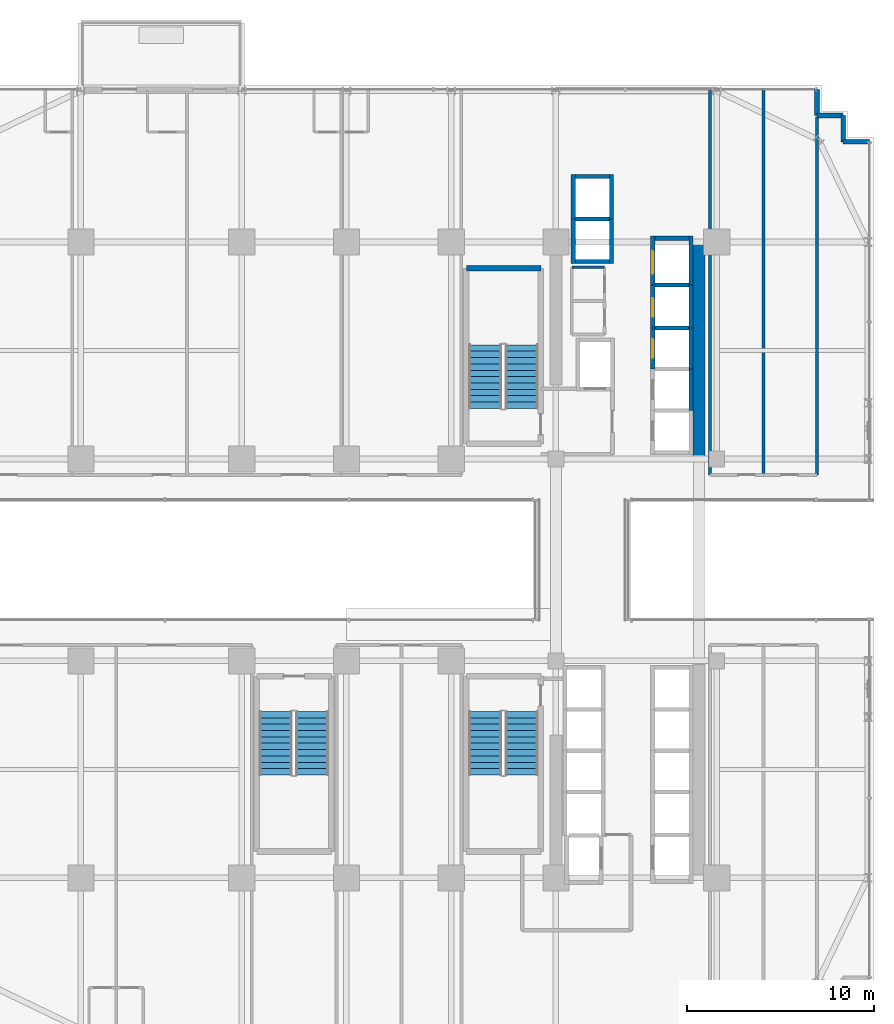
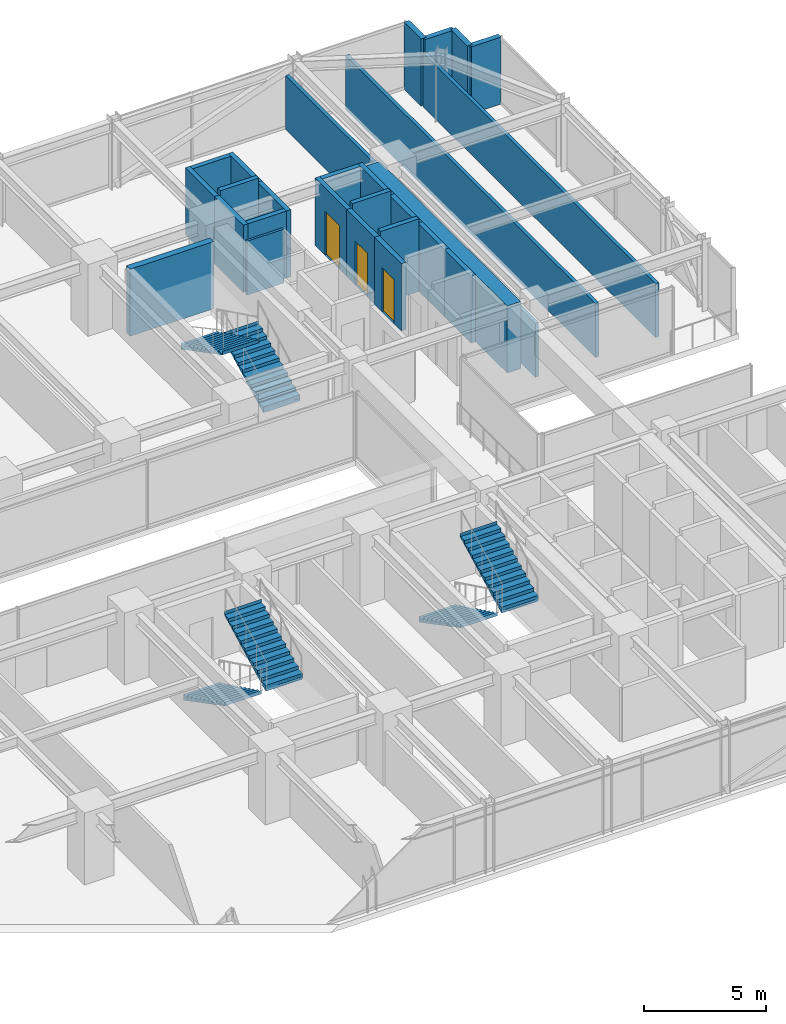
# One storey, part 38 of 42: 27 walls, 6 stair flights, 3 doors, 3 openings, 3 elements without a shape of their own.
"""IFC4 building model written with IfcOpenShell, lengths in metres."""

from ifc_helpers import new_model, si_unit, direction, frame, frame_2d, origin, place, context, subcontext, project, spatial, polyline, rectangle, outline, extrude, source, transform, mapped, material, layer, layer_set, type_object, element, fill, aggregate, save


model = new_model("IFC4")

# Units and contexts
model_context = context("Model", 3, precision=1e-05, world=origin(), true_north=direction((0.0, 1.0)))
body_context = subcontext(model_context, "Body", "Model", "MODEL_VIEW")
ifc_project = project(units=[si_unit("LENGTHUNIT", "METRE"), si_unit("AREAUNIT", "SQUARE_METRE"), si_unit("VOLUMEUNIT", "CUBIC_METRE"), si_unit("PLANEANGLEUNIT", "RADIAN"), si_unit("MASSUNIT", "GRAM", prefix="KILO")], contexts=[model_context])

# Site, building, storey
site_placement = place(None, origin())
site = spatial("IfcSite", under=ifc_project, at=site_placement, CompositionType="ELEMENT")
building_placement = place(site_placement, origin())
building = spatial("IfcBuilding", under=site, at=building_placement, Name="Nahalor Promenade Grand Hotel", CompositionType="ELEMENT")
storey_placement = place(building_placement, frame((0.0, 0.0, 61.60009765625)))
storey = spatial("IfcBuildingStorey", under=building, at=storey_placement, Name="L14", CompositionType="ELEMENT", Elevation=61.60009765625)

# Walls
ifc_material_1 = material(Name="Concrete B-60 (C50/60)", Category="concrete")
ifc_layer_1 = layer(ifc_material_1, 0.64990234375)
ifc_layer_set_1 = layer_set([ifc_layer_1], Name="Concrete B-60 (C50/60)")
wall_type_1 = type_object("IfcWallType", Name="Wall-CoreShear-650", PredefinedType="SHEAR", material=ifc_layer_set_1)
shared_shape_1 = source(origin(), body_context, "Body", "SweptSolid", [
    extrude(rectangle(XDim=11.60009765625, YDim=0.64990234375, at=frame_2d((5.800048828125, 0.0))), origin(), (0.0, 0.0, 1.0), 3.369873046875),
])
wall_1_placement = place(storey_placement, frame((16.050048828125, 5.39990234375, 0.0), z_axis=(0.0, 0.0, 1.0), x_axis=(0.0, 1.0, 0.0)))
element("IfcWall", 1, at=wall_1_placement, inside=storey, type_object=wall_type_1, Name="CWALL-L14-NE", PredefinedType="SHEAR", context=body_context, shape_type="MappedRepresentation", body=[
    mapped(shared_shape_1, transform((0.0, 0.0, 0.0), scale=1.0)),
])
ifc_material_2 = material(Name="Concrete B-50 (C40/50)", Category="concrete")
ifc_layer_2 = layer(ifc_material_2, 0.300048828125)
ifc_layer_set_2 = layer_set([ifc_layer_2], Name="Concrete B-50 (C40/50)")
wall_type_2 = type_object("IfcWallType", Name="Wall-ShaftShear-300", PredefinedType="SHEAR", material=ifc_layer_set_2)
shared_shape_2 = source(origin(), body_context, "Body", "SweptSolid", [
    extrude(rectangle(XDim=3.97998046875, YDim=0.300048828125, at=frame_2d((1.989990234375, 0.0))), origin(), (0.0, 0.0, 1.0), 3.369873046875),
])
wall_2_placement = place(storey_placement, frame((3.610107421875, 15.590087890625, 0.0), z_axis=(0.0, 0.0, 1.0), x_axis=(1.0, 0.0, 0.0)))
element("IfcWall", 2, at=wall_2_placement, inside=storey, type_object=wall_type_2, Name="L14 Exit Stair ST1 Shaft Wall N", PredefinedType="SHEAR", context=body_context, shape_type="MappedRepresentation", body=[
    mapped(shared_shape_2, transform((0.0, 0.0, 0.0), scale=1.0)),
])
ifc_layer_3 = layer(ifc_material_2, 0.219970703125)
ifc_layer_set_3 = layer_set([ifc_layer_3], Name="Concrete B-50 (C40/50)")
wall_type_3 = type_object("IfcWallType", Name="Wall-LiftShaft-220", PredefinedType="SHEAR", material=ifc_layer_set_3)
shared_shape_3 = source(origin(), body_context, "Body", "SweptSolid", [
    extrude(rectangle(XDim=1.820068359375, YDim=0.219970703125, at=frame_2d((0.91015625, 0.0))), origin(), (0.0, 0.0, 1.0), 3.369873046875),
])
for number, where, z_axis, x_axis, name in (
    (3, (9.43994140625, 15.949951171875, 0.0), (0.0, 0.0, 1.0), (1.0, 0.0, 0.0), "L14 Lift OB1 Hoistway Wall S"),
    (4, (9.43994140625, 20.5, 0.0), (0.0, 0.0, 1.0), (1.0, 0.0, 0.0), "L14 Lift OB2 Hoistway Wall N"),
    (5, (13.68994140625, 17.199951171875, 0.0), (0.0, 0.0, 1.0), (1.0, 0.0, 0.0), "L14 Lift SV1 Hoistway Wall N"),
):
    element("IfcWall", number, at=place(storey_placement, frame(where, z_axis=z_axis, x_axis=x_axis)), inside=storey, type_object=wall_type_3, Name=name, PredefinedType="SHEAR", context=body_context, shape_type="MappedRepresentation", body=[
        mapped(shared_shape_3, transform((0.0, 0.0, 0.0), scale=1.0)),
    ])
shared_shape_4 = source(origin(), body_context, "Body", "SweptSolid", [
    extrude(rectangle(XDim=1.820068359375, YDim=0.219970703125, at=frame_2d((0.91015625, 0.0))), origin(), (0.0, 0.0, 1.0), 3.64990234375),
])
for number, where, z_axis, x_axis, name in (
    (6, (13.68994140625, 12.39990234375, 0.0), (0.0, 0.0, 1.0), (1.0, 0.0, 0.0), "L14 Lift PL3 Hoistway Wall N"),
    (7, (13.68994140625, 14.699951171875, 0.0), (0.0, 0.0, 1.0), (1.0, 0.0, 0.0), "L14 Lift PL4 Hoistway Wall N"),
    (8, (9.43994140625, 18.22509765625, 0.0), (0.0, 0.0, 1.0), (1.0, 0.0, 0.0), "L14 Lift OB1 Hoistway Wall N"),
):
    element("IfcWall", number, at=place(storey_placement, frame(where, z_axis=z_axis, x_axis=x_axis)), inside=storey, type_object=wall_type_3, Name=name, PredefinedType="SHEAR", context=body_context, shape_type="MappedRepresentation", body=[
        mapped(shared_shape_4, transform((0.0, 0.0, 0.0), scale=1.0)),
    ])
shared_shape_5 = source(origin(), body_context, "Body", "SweptSolid", [
    extrude(rectangle(XDim=2.199951171875, YDim=0.219970703125, at=frame_2d((1.10009765625, 0.0))), origin(), (0.0, 0.0, 1.0), 3.369873046875),
])
wall_3_placement = place(storey_placement, frame((15.6201171875, 8.0, 0.0), z_axis=(0.0, 0.0, 1.0), x_axis=(0.0, 1.0, 0.0)))
element("IfcWall", 9, at=wall_3_placement, inside=storey, type_object=wall_type_3, Name="L14 Lift PL2 Hoistway Wall E", PredefinedType="SHEAR", context=body_context, shape_type="MappedRepresentation", body=[
    mapped(shared_shape_5, transform((0.0, 0.0, 0.0), scale=1.0)),
])

# Wall, opening, door
wall_4_placement = place(storey_placement, frame((13.580078125, 10.199951171875, 0.0), z_axis=(0.0, 0.0, 1.0), x_axis=(0.0, 1.0, 0.0)))
wall_4 = element("IfcWall", 10, at=wall_4_placement, inside=storey, type_object=wall_type_3, Name="L14 Lift PL3 Hoistway Wall W", PredefinedType="SHEAR", context=body_context, shape_type="MappedRepresentation", body=[
    mapped(shared_shape_5, transform((0.0, 0.0, 0.0), scale=1.0)),
])
opening_1_placement = place(wall_4_placement, frame((0.60009765625, 0.0, 0.0)))
opening_1 = element("IfcOpeningElement", 11, at=opening_1_placement, cuts=wall_4, Name="Opening LD-01", PredefinedType="OPENING", context=body_context, shape_type="SweptSolid", body=[
    extrude(rectangle(XDim=1.0, YDim=2.199951171875, at=frame_2d((0.5, 1.10009765625))), frame((0.0, 0.119873046875, 0.0), z_axis=(0.0, -1.0, 0.0), x_axis=(1.0, 0.0, 0.0)), (0.0, 0.0, 1.0), 0.239990234375),
])
ifc_material_3 = material(Name="Steel S355JR", Category="steel")
door_type_1 = type_object("IfcDoorType", Name="Door-LiftLanding-1000", OperationType="DOUBLE_DOOR_SLIDING", PredefinedType="DOOR", material=ifc_material_3)
shared_shape_6 = source(origin(), body_context, "Body", "SweptSolid", [
    extrude(rectangle(XDim=1.0, YDim=2.199951171875, at=frame_2d((0.5, 1.10009765625))), frame((0.0, 0.02490234375, 0.0), z_axis=(0.0, -1.0, 0.0), x_axis=(1.0, 0.0, 0.0)), (0.0, 0.0, 1.0), 0.050048828125),
])
door_1_placement = place(opening_1_placement, origin())
door_1 = element("IfcDoor", 12, at=door_1_placement, inside=storey, type_object=door_type_1, Name="DR-LIFT-PL3-L14", OperationType="DOUBLE_DOOR_SLIDING", OverallHeight=2.199951171875, OverallWidth=1.0, PredefinedType="DOOR", context=body_context, shape_type="MappedRepresentation", body=[
    mapped(shared_shape_6, transform((0.0, 0.0, 0.0), scale=1.0)),
])
fill(opening_1, door_1)

# Wall
wall_5_placement = place(storey_placement, frame((15.6201171875, 10.199951171875, 0.0), z_axis=(0.0, 0.0, 1.0), x_axis=(0.0, 1.0, 0.0)))
element("IfcWall", 13, at=wall_5_placement, inside=storey, type_object=wall_type_3, Name="L14 Lift PL3 Hoistway Wall E", PredefinedType="SHEAR", context=body_context, shape_type="MappedRepresentation", body=[
    mapped(shared_shape_5, transform((0.0, 0.0, 0.0), scale=1.0)),
])

# Wall, opening, door
shared_shape_7 = source(origin(), body_context, "Body", "SweptSolid", [
    extrude(rectangle(XDim=2.300048828125, YDim=0.219970703125, at=frame_2d((1.14990234375, 0.0))), origin(), (0.0, 0.0, 1.0), 3.369873046875),
])
wall_6_placement = place(storey_placement, frame((13.580078125, 12.39990234375, 0.0), z_axis=(0.0, 0.0, 1.0), x_axis=(0.0, 1.0, 0.0)))
wall_6 = element("IfcWall", 14, at=wall_6_placement, inside=storey, type_object=wall_type_3, Name="L14 Lift PL4 Hoistway Wall W", PredefinedType="SHEAR", context=body_context, shape_type="MappedRepresentation", body=[
    mapped(shared_shape_7, transform((0.0, 0.0, 0.0), scale=1.0)),
])
opening_2_placement = place(wall_6_placement, frame((0.60009765625, 0.0, 0.0)))
opening_2 = element("IfcOpeningElement", 15, at=opening_2_placement, cuts=wall_6, Name="Opening LD-01", PredefinedType="OPENING", context=body_context, shape_type="SweptSolid", body=[
    extrude(rectangle(XDim=1.0, YDim=2.199951171875, at=frame_2d((0.5, 1.10009765625))), frame((0.0, 0.119873046875, 0.0), z_axis=(0.0, -1.0, 0.0), x_axis=(1.0, 0.0, 0.0)), (0.0, 0.0, 1.0), 0.239990234375),
])
door_2_placement = place(opening_2_placement, origin())
door_2 = element("IfcDoor", 16, at=door_2_placement, inside=storey, type_object=door_type_1, Name="DR-LIFT-PL4-L14", OperationType="DOUBLE_DOOR_SLIDING", OverallHeight=2.199951171875, OverallWidth=1.0, PredefinedType="DOOR", context=body_context, shape_type="MappedRepresentation", body=[
    mapped(shared_shape_6, transform((0.0, 0.0, 0.0), scale=1.0)),
])
fill(opening_2, door_2)

# Walls
wall_7_placement = place(storey_placement, frame((15.6201171875, 12.39990234375, 0.0), z_axis=(0.0, 0.0, 1.0), x_axis=(0.0, 1.0, 0.0)))
element("IfcWall", 17, at=wall_7_placement, inside=storey, type_object=wall_type_3, Name="L14 Lift PL4 Hoistway Wall E", PredefinedType="SHEAR", context=body_context, shape_type="MappedRepresentation", body=[
    mapped(shared_shape_7, transform((0.0, 0.0, 0.0), scale=1.0)),
])
shared_shape_8 = source(origin(), body_context, "Body", "SweptSolid", [
    extrude(rectangle(XDim=2.385009765625, YDim=0.219970703125, at=frame_2d((1.1923828125, 0.0))), origin(), (0.0, 0.0, 1.0), 3.369873046875),
])
for number, where, z_axis, x_axis, name in (
    (18, (9.330078125, 15.840087890625, 0.0), (0.0, 0.0, 1.0), (0.0, 1.0, 0.0), "L14 Lift OB1 Hoistway Wall W"),
    (19, (11.3701171875, 15.840087890625, 0.0), (0.0, 0.0, 1.0), (0.0, 1.0, 0.0), "L14 Lift OB1 Hoistway Wall E"),
    (20, (9.330078125, 18.22509765625, 0.0), (0.0, 0.0, 1.0), (0.0, 1.0, 0.0), "L14 Lift OB2 Hoistway Wall W"),
    (21, (11.3701171875, 18.22509765625, 0.0), (0.0, 0.0, 1.0), (0.0, 1.0, 0.0), "L14 Lift OB2 Hoistway Wall E"),
):
    element("IfcWall", number, at=place(storey_placement, frame(where, z_axis=z_axis, x_axis=x_axis)), inside=storey, type_object=wall_type_3, Name=name, PredefinedType="SHEAR", context=body_context, shape_type="MappedRepresentation", body=[
        mapped(shared_shape_8, transform((0.0, 0.0, 0.0), scale=1.0)),
    ])

# Wall, opening, door
shared_shape_9 = source(origin(), body_context, "Body", "SweptSolid", [
    extrude(rectangle(XDim=2.610107421875, YDim=0.219970703125, at=frame_2d((1.30517578125, 0.0))), origin(), (0.0, 0.0, 1.0), 3.369873046875),
])
wall_8_placement = place(storey_placement, frame((13.580078125, 14.699951171875, 0.0), z_axis=(0.0, 0.0, 1.0), x_axis=(0.0, 1.0, 0.0)))
wall_8 = element("IfcWall", 22, at=wall_8_placement, inside=storey, type_object=wall_type_3, Name="L14 Lift SV1 Hoistway Wall W", PredefinedType="SHEAR", context=body_context, shape_type="MappedRepresentation", body=[
    mapped(shared_shape_9, transform((0.0, 0.0, 0.0), scale=1.0)),
])
opening_3_placement = place(wall_8_placement, frame((0.60009765625, 0.0, 0.0)))
opening_3 = element("IfcOpeningElement", 23, at=opening_3_placement, cuts=wall_8, Name="Opening LD-03", PredefinedType="OPENING", context=body_context, shape_type="SweptSolid", body=[
    extrude(rectangle(XDim=1.199951171875, YDim=2.199951171875, at=frame_2d((0.60009765625, 1.10009765625))), frame((0.0, 0.119873046875, 0.0), z_axis=(0.0, -1.0, 0.0), x_axis=(1.0, 0.0, 0.0)), (0.0, 0.0, 1.0), 0.239990234375),
])
door_type_2 = type_object("IfcDoorType", Name="Door-LiftService-1200", OperationType="DOUBLE_DOOR_SLIDING", PredefinedType="DOOR", material=ifc_material_3)
shared_shape_10 = source(origin(), body_context, "Body", "SweptSolid", [
    extrude(rectangle(XDim=1.199951171875, YDim=2.199951171875, at=frame_2d((0.60009765625, 1.10009765625))), frame((0.0, 0.02490234375, 0.0), z_axis=(0.0, -1.0, 0.0), x_axis=(1.0, 0.0, 0.0)), (0.0, 0.0, 1.0), 0.050048828125),
])
door_3_placement = place(opening_3_placement, origin())
door_3 = element("IfcDoor", 24, at=door_3_placement, inside=storey, type_object=door_type_2, Name="DR-LIFT-SV1-L14", OperationType="DOUBLE_DOOR_SLIDING", OverallHeight=2.199951171875, OverallWidth=1.199951171875, PredefinedType="DOOR", context=body_context, shape_type="MappedRepresentation", body=[
    mapped(shared_shape_10, transform((0.0, 0.0, 0.0), scale=1.0)),
])
fill(opening_3, door_3)

# Walls
wall_9_placement = place(storey_placement, frame((15.6201171875, 14.699951171875, 0.0), z_axis=(0.0, 0.0, 1.0), x_axis=(0.0, 1.0, 0.0)))
element("IfcWall", 25, at=wall_9_placement, inside=storey, type_object=wall_type_3, Name="L14 Lift SV1 Hoistway Wall E", PredefinedType="SHEAR", context=body_context, shape_type="MappedRepresentation", body=[
    mapped(shared_shape_9, transform((0.0, 0.0, 0.0), scale=1.0)),
])
ifc_material_4 = material(Name="Concrete B-40 (C32/40)", Category="concrete")
ifc_layer_4 = layer(ifc_material_4, 0.25)
ifc_layer_set_4 = layer_set([ifc_layer_4], Name="Concrete B-40 (C32/40)")
wall_type_4 = type_object("IfcWallType", Name="Wall-BronzePier-250", PredefinedType="STANDARD", material=ifc_layer_set_4)
shared_shape_11 = source(origin(), body_context, "Body", "SweptSolid", [
    extrude(rectangle(XDim=1.39990234375, YDim=0.25, at=frame_2d((0.699951171875, 0.0))), origin(), (0.0, 0.0, 1.0), 3.369873046875),
])
for number, where, z_axis, x_axis, name in (
    (26, (23.760009765625, 22.360107421875, 0.0), (0.0, 0.0, 1.0), (1.0, 0.0, 0.0), "W-L14-SR-05"),
    (27, (23.760009765625, 22.360107421875, 0.0), (0.0, 0.0, 1.0), (0.0, 1.0, 0.0), "W-L14-SR-06"),
    (28, (22.360107421875, 23.760009765625, 0.0), (0.0, 0.0, 1.0), (1.0, 0.0, 0.0), "W-L14-SR-07"),
    (29, (22.360107421875, 23.760009765625, 0.0), (0.0, 0.0, 1.0), (0.0, 1.0, 0.0), "W-L14-SR-08"),
):
    element("IfcWall", number, at=place(storey_placement, frame(where, z_axis=z_axis, x_axis=x_axis)), inside=storey, type_object=wall_type_4, Name=name, PredefinedType="STANDARD", context=body_context, shape_type="MappedRepresentation", body=[
        mapped(shared_shape_11, transform((0.0, 0.0, 0.0), scale=1.0)),
    ])
ifc_material_5 = material(Name="Acoustic Mineral Gypsum", Category="gypsum")
ifc_layer_5 = layer(ifc_material_5, 0.159912109375)
ifc_layer_set_5 = layer_set([ifc_layer_5], Name="Acoustic Mineral Gypsum")
wall_type_5 = type_object("IfcWallType", Name="Wall-PartCorridor-160", PredefinedType="PARTITIONING", material=ifc_layer_set_5)
shared_shape_12 = source(origin(), body_context, "Body", "SweptSolid", [
    extrude(rectangle(XDim=20.550048828125, YDim=0.159912109375, at=frame_2d((10.27490234375, 0.0))), origin(), (0.0, 0.0, 1.0), 2.7099609375),
])
for number, where, z_axis, x_axis, name in (
    (30, (16.64990234375, 4.550048828125, 0.0), (0.0, 0.0, 1.0), (0.0, 1.0, 0.0), "W-L14-ENE1-W"),
    (31, (19.5048828125, 4.550048828125, 0.0), (0.0, 0.0, 1.0), (0.0, 1.0, 0.0), "W-L14-ENE1-E"),
):
    element("IfcWall", number, at=place(storey_placement, frame(where, z_axis=z_axis, x_axis=x_axis)), inside=storey, type_object=wall_type_5, Name=name, PredefinedType="PARTITIONING", context=body_context, shape_type="MappedRepresentation", body=[
        mapped(shared_shape_12, transform((0.0, 0.0, 0.0), scale=1.0)),
    ])
shared_shape_13 = source(origin(), body_context, "Body", "SweptSolid", [
    extrude(rectangle(XDim=19.1298828125, YDim=0.159912109375, at=frame_2d((9.56494140625, 0.0))), origin(), (0.0, 0.0, 1.0), 2.7099609375),
])
wall_10_placement = place(storey_placement, frame((22.360107421875, 4.550048828125, 0.0), z_axis=(0.0, 0.0, 1.0), x_axis=(0.0, 1.0, 0.0)))
element("IfcWall", 32, at=wall_10_placement, inside=storey, type_object=wall_type_5, Name="W-L14-ENE2-E", PredefinedType="PARTITIONING", context=body_context, shape_type="MappedRepresentation", body=[
    mapped(shared_shape_13, transform((0.0, 0.0, 0.0), scale=1.0)),
])
ifc_layer_6 = layer(ifc_material_5, 0.1201171875)
ifc_layer_set_6 = layer_set([ifc_layer_6], Name="Acoustic Mineral Gypsum")
wall_type_6 = type_object("IfcWallType", Name="Wall-PartBath-120", PredefinedType="PARTITIONING", material=ifc_layer_set_6)
shared_shape_14 = source(origin(), body_context, "Body", "SweptSolid", [
    extrude(rectangle(XDim=1.75, YDim=0.1201171875, at=frame_2d((0.875, 0.0))), origin(), (0.0, 0.0, 1.0), 2.7099609375),
])
wall_11_placement = place(storey_placement, frame((9.25, 15.64990234375, 0.0), z_axis=(0.0, 0.0, 1.0), x_axis=(1.0, 0.0, 0.0)))
element("IfcWall", 33, at=wall_11_placement, inside=storey, type_object=wall_type_6, Name="W-L14-CK2B-N", PredefinedType="PARTITIONING", context=body_context, shape_type="MappedRepresentation", body=[
    mapped(shared_shape_14, transform((0.0, 0.0, 0.0), scale=1.0)),
])

# Stair, stair flights
stair_type_1 = type_object("IfcStairType", Name="Stair-ST1", PredefinedType="HALF_TURN_STAIR", material=ifc_material_2)
stair_1_placement = place(storey_placement, origin())
stair_1 = element("IfcStair", 34, at=stair_1_placement, inside=storey, type_object=stair_type_1, Name="L14 ST1", PredefinedType="HALF_TURN_STAIR")
ifc_layer_7 = layer(ifc_material_2, 0.179931640625)
ifc_layer_set_7 = layer_set([ifc_layer_7], Name="Concrete B-50 (C40/50)")
stair_flight_type_1 = type_object("IfcStairFlightType", Name="Flight-ST1", PredefinedType="STRAIGHT", material=ifc_layer_set_7)
shared_shape_15 = source(origin(), body_context, "Body", "SweptSolid", [
    extrude(outline(polyline([(-0.00390625, -0.1201171875), (-0.00390625, 0.0), (0.0, 0.0), (0.0, 0.166015625), (0.340087890625, 0.166015625), (0.340087890625, 0.331787109375), (0.679931640625, 0.331787109375), (0.679931640625, 0.497802734375), (1.02001953125, 0.497802734375), (1.02001953125, 0.66357421875), (1.360107421875, 0.66357421875), (1.360107421875, 0.82958984375), (1.699951171875, 0.82958984375), (1.699951171875, 0.995361328125), (2.0400390625, 0.995361328125), (2.0400390625, 1.161376953125), (2.3798828125, 1.161376953125), (2.3798828125, 1.327392578125), (2.719970703125, 1.327392578125), (2.719970703125, 1.4931640625), (3.06005859375, 1.4931640625), (3.06005859375, 1.6591796875), (3.39990234375, 1.6591796875), (3.39990234375, 1.824951171875), (3.404052734375, 1.824951171875), (3.404052734375, 1.64501953125), (0.02001953125, -0.1201171875), (-0.00390625, -0.1201171875)])), frame((0.0, 0.875, 0.0), z_axis=(0.0, -1.0, 0.0), x_axis=(1.0, 0.0, 0.0)), (0.0, 0.0, 1.0), 1.75),
])
stair_flight_1_placement = place(storey_placement, frame((6.574951171875, 8.10009765625, 0.0), z_axis=(0.0, 0.0, 1.0), x_axis=(0.0, 1.0, 0.0)))
stair_flight_1 = element("IfcStairFlight", 35, at=stair_flight_1_placement, type_object=stair_flight_type_1, Name="ST1 flight 1", NumberOfRisers=11, NumberOfTreads=10, PredefinedType="STRAIGHT", RiserHeight=0.165909091, TreadLength=0.34, context=body_context, shape_type="MappedRepresentation", body=[
    mapped(shared_shape_15, transform((0.0, 0.0, 0.0), scale=1.0)),
])
stair_flight_2_placement = place(storey_placement, frame((4.625, 11.5, 1.824951171875), z_axis=(0.0, 0.0, 1.0), x_axis=(0.0, -1.0, 0.0)))
stair_flight_2 = element("IfcStairFlight", 36, at=stair_flight_2_placement, type_object=stair_flight_type_1, Name="ST1 flight 2", NumberOfRisers=11, NumberOfTreads=10, PredefinedType="STRAIGHT", RiserHeight=0.165909091, TreadLength=0.34, context=body_context, shape_type="MappedRepresentation", body=[
    mapped(shared_shape_15, transform((0.0, 0.0, 0.0), scale=1.0)),
])
aggregate(stair_1, [stair_flight_1, stair_flight_2])

stair_type_2 = type_object("IfcStairType", Name="Stair-ST2", PredefinedType="HALF_TURN_STAIR", material=ifc_material_2)
stair_2_placement = place(storey_placement, origin())
stair_2 = element("IfcStair", 37, at=stair_2_placement, inside=storey, type_object=stair_type_2, Name="L14 ST2", PredefinedType="HALF_TURN_STAIR")
ifc_layer_8 = layer(ifc_material_2, 0.18994140625)
ifc_layer_set_8 = layer_set([ifc_layer_8], Name="Concrete B-50 (C40/50)")
stair_flight_type_2 = type_object("IfcStairFlightType", Name="Flight-ST2", PredefinedType="STRAIGHT", material=ifc_layer_set_8)
shared_shape_16 = source(origin(), body_context, "Body", "SweptSolid", [
    extrude(outline(polyline([(-0.00390625, -0.1201171875), (-0.00390625, 0.0), (0.0, 0.0), (0.0, 0.166015625), (0.340087890625, 0.166015625), (0.340087890625, 0.331787109375), (0.679931640625, 0.331787109375), (0.679931640625, 0.497802734375), (1.02001953125, 0.497802734375), (1.02001953125, 0.66357421875), (1.360107421875, 0.66357421875), (1.360107421875, 0.82958984375), (1.699951171875, 0.82958984375), (1.699951171875, 0.995361328125), (2.0400390625, 0.995361328125), (2.0400390625, 1.161376953125), (2.3798828125, 1.161376953125), (2.3798828125, 1.327392578125), (2.719970703125, 1.327392578125), (2.719970703125, 1.4931640625), (3.06005859375, 1.4931640625), (3.06005859375, 1.6591796875), (3.39990234375, 1.6591796875), (3.39990234375, 1.824951171875), (3.404052734375, 1.824951171875), (3.404052734375, 1.64501953125), (0.02001953125, -0.1201171875), (-0.00390625, -0.1201171875)])), frame((0.0, 0.875, 0.0), z_axis=(0.0, -1.0, 0.0), x_axis=(1.0, 0.0, 0.0)), (0.0, 0.0, 1.0), 1.75),
])
stair_flight_3_placement = place(storey_placement, frame((4.625, -8.10009765625, 0.0), z_axis=(0.0, 0.0, 1.0), x_axis=(0.0, -1.0, 0.0)))
stair_flight_3 = element("IfcStairFlight", 38, at=stair_flight_3_placement, type_object=stair_flight_type_2, Name="ST2 flight 1", NumberOfRisers=11, NumberOfTreads=10, PredefinedType="STRAIGHT", RiserHeight=0.165909091, TreadLength=0.34, context=body_context, shape_type="MappedRepresentation", body=[
    mapped(shared_shape_16, transform((0.0, 0.0, 0.0), scale=1.0)),
])
stair_flight_4_placement = place(storey_placement, frame((6.574951171875, -11.5, 1.824951171875), z_axis=(0.0, 0.0, 1.0), x_axis=(0.0, 1.0, 0.0)))
stair_flight_4 = element("IfcStairFlight", 39, at=stair_flight_4_placement, type_object=stair_flight_type_2, Name="ST2 flight 2", NumberOfRisers=11, NumberOfTreads=10, PredefinedType="STRAIGHT", RiserHeight=0.165909091, TreadLength=0.34, context=body_context, shape_type="MappedRepresentation", body=[
    mapped(shared_shape_16, transform((0.0, 0.0, 0.0), scale=1.0)),
])
aggregate(stair_2, [stair_flight_3, stair_flight_4])

stair_type_3 = type_object("IfcStairType", Name="Stair-ST3", PredefinedType="HALF_TURN_STAIR", material=ifc_material_2)
stair_3_placement = place(storey_placement, origin())
stair_3 = element("IfcStair", 40, at=stair_3_placement, inside=storey, type_object=stair_type_3, Name="L14 ST3", PredefinedType="HALF_TURN_STAIR")
ifc_layer_9 = layer(ifc_material_2, 0.199951171875)
ifc_layer_set_9 = layer_set([ifc_layer_9], Name="Concrete B-50 (C40/50)")
stair_flight_type_3 = type_object("IfcStairFlightType", Name="Flight-ST3", PredefinedType="STRAIGHT", material=ifc_layer_set_9)
shared_shape_17 = source(origin(), body_context, "Body", "SweptSolid", [
    extrude(outline(polyline([(-0.00390625, -0.1201171875), (-0.00390625, 0.0), (0.0, 0.0), (0.0, 0.166015625), (0.340087890625, 0.166015625), (0.340087890625, 0.331787109375), (0.679931640625, 0.331787109375), (0.679931640625, 0.497802734375), (1.02001953125, 0.497802734375), (1.02001953125, 0.66357421875), (1.360107421875, 0.66357421875), (1.360107421875, 0.82958984375), (1.699951171875, 0.82958984375), (1.699951171875, 0.995361328125), (2.0400390625, 0.995361328125), (2.0400390625, 1.161376953125), (2.3798828125, 1.161376953125), (2.3798828125, 1.327392578125), (2.719970703125, 1.327392578125), (2.719970703125, 1.4931640625), (3.06005859375, 1.4931640625), (3.06005859375, 1.6591796875), (3.39990234375, 1.6591796875), (3.39990234375, 1.824951171875), (3.404052734375, 1.824951171875), (3.404052734375, 1.64501953125), (0.02001953125, -0.1201171875), (-0.00390625, -0.1201171875)])), frame((0.0, 0.875, 0.0), z_axis=(0.0, -1.0, 0.0), x_axis=(1.0, 0.0, 0.0)), (0.0, 0.0, 1.0), 1.75),
])
stair_flight_5_placement = place(storey_placement, frame((-6.574951171875, -8.10009765625, 0.0), z_axis=(0.0, 0.0, 1.0), x_axis=(0.0, -1.0, 0.0)))
stair_flight_5 = element("IfcStairFlight", 41, at=stair_flight_5_placement, type_object=stair_flight_type_3, Name="ST3 flight 1", NumberOfRisers=11, NumberOfTreads=10, PredefinedType="STRAIGHT", RiserHeight=0.165909091, TreadLength=0.34, context=body_context, shape_type="MappedRepresentation", body=[
    mapped(shared_shape_17, transform((0.0, 0.0, 0.0), scale=1.0)),
])
stair_flight_6_placement = place(storey_placement, frame((-4.625, -11.5, 1.824951171875), z_axis=(0.0, 0.0, 1.0), x_axis=(0.0, 1.0, 0.0)))
stair_flight_6 = element("IfcStairFlight", 42, at=stair_flight_6_placement, type_object=stair_flight_type_3, Name="ST3 flight 2", NumberOfRisers=11, NumberOfTreads=10, PredefinedType="STRAIGHT", RiserHeight=0.165909091, TreadLength=0.34, context=body_context, shape_type="MappedRepresentation", body=[
    mapped(shared_shape_17, transform((0.0, 0.0, 0.0), scale=1.0)),
])
aggregate(stair_3, [stair_flight_5, stair_flight_6])

save(model, "model.ifc")
